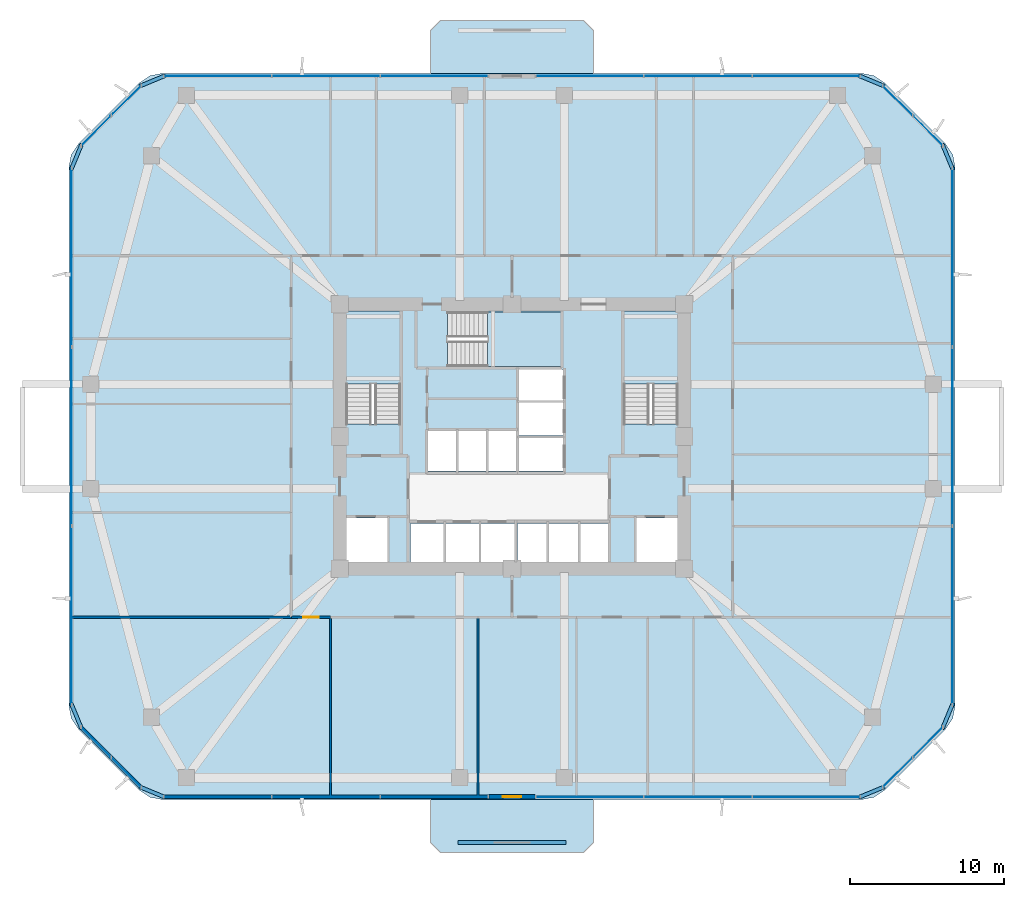
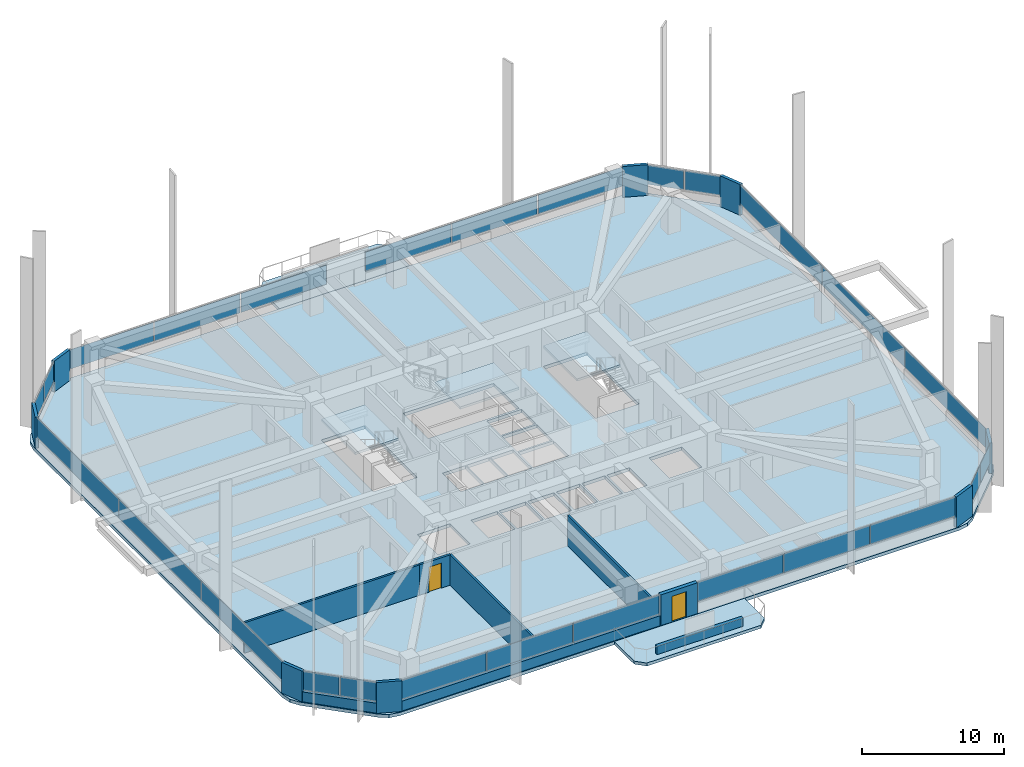
# One storey, part 8 of 17: 34 plates, 8 walls, 6 slabs, 2 doors, 2 openings, 13 elements without a shape of their own.
"""IFC4 building model written with IfcOpenShell, lengths in metres."""

from ifc_helpers import new_model, si_unit, derived_unit, direction, frame, frame_2d, origin, origin_2d, place, context, subcontext, project, spatial, polyline, rectangle, outline, extrude, material, layer, layer_set, type_object, element, fill, aggregate, save


model = new_model("IFC4")

# Units and contexts
model_context = context("Model", 3, precision=1e-05, world=origin(), true_north=direction((0.0, 1.0)))
body_context = subcontext(model_context, "Body", "Model", "MODEL_VIEW")
ifc_project = project(units=[si_unit("LENGTHUNIT", "METRE"), si_unit("AREAUNIT", "SQUARE_METRE"), si_unit("VOLUMEUNIT", "CUBIC_METRE"), si_unit("PLANEANGLEUNIT", "RADIAN"), si_unit("MASSUNIT", "GRAM", prefix="KILO"), derived_unit("THERMALTRANSMITTANCEUNIT", [(si_unit("POWERUNIT", "WATT"), 1), (si_unit("LENGTHUNIT", "METRE"), -2), (si_unit("THERMODYNAMICTEMPERATUREUNIT", "KELVIN"), -1)])], contexts=[model_context])

# Site, building, storey
site_placement = place(None, origin())
site = spatial("IfcSite", under=ifc_project, at=site_placement, CompositionType="ELEMENT")
building_placement = place(site_placement, origin())
building = spatial("IfcBuilding", under=site, at=building_placement, Name="Koralith Skygarden Medical Center", CompositionType="ELEMENT")
storey_placement = place(building_placement, frame((0.0, 0.0, 38.340087890625)))
storey = spatial("IfcBuildingStorey", under=building, at=storey_placement, Name="L09", CompositionType="ELEMENT", Elevation=38.340087890625)

# Curtain wall, plates
ifc_material_1 = material(Name="Clear Laminated Glass", Category="glass")
curtain_wall_type = type_object("IfcCurtainWallType", Name="CW-2 Zone 1 Hurricane Unitised Curtain Wall", PredefinedType="NOTDEFINED", material=ifc_material_1)
curtain_wall_1_placement = place(storey_placement, origin())
curtain_wall_1 = element("IfcCurtainWall", 1, at=curtain_wall_1_placement, inside=storey, type_object=curtain_wall_type, Name="Curtain Wall CW-L09-S-L", PredefinedType="NOTDEFINED")
ifc_layer_1 = layer(ifc_material_1, 0.031982421875)
ifc_layer_set_1 = layer_set([ifc_layer_1], Name="Clear Laminated Glass")
plate_type_1 = type_object("IfcPlateType", Name="CW-2 Hurricane Laminated IGU Panel 32", PredefinedType="CURTAIN_PANEL", material=ifc_layer_set_1)
plate_1_placement = place(storey_placement, frame((17.873046875, 2.47998046875, 0.919921875), z_axis=(0.0, 0.0, 1.0), x_axis=(1.0, 0.0, 0.0)))
plate_1 = element("IfcPlate", 2, at=plate_1_placement, type_object=plate_type_1, Name="CW-L09-S-L Glazed Panel 1", PredefinedType="CURTAIN_PANEL", context=body_context, shape_type="SweptSolid", body=[
    extrude(rectangle(XDim=6.945068359375, YDim=0.031982421875, at=origin_2d()), origin(), (0.0, 0.0, 1.0), 1.659912109375),
])
plate_2_placement = place(storey_placement, frame((24.906982421875, 2.47998046875, 0.919921875), z_axis=(0.0, 0.0, 1.0), x_axis=(1.0, 0.0, 0.0)))
plate_2 = element("IfcPlate", 3, at=plate_2_placement, type_object=plate_type_1, Name="CW-L09-S-L Glazed Panel 2", PredefinedType="CURTAIN_PANEL", context=body_context, shape_type="SweptSolid", body=[
    extrude(rectangle(XDim=6.945068359375, YDim=0.031982421875, at=origin_2d()), origin(), (0.0, 0.0, 1.0), 1.659912109375),
])
plate_3_placement = place(storey_placement, frame((31.94189453125, 2.47998046875, 0.919921875), z_axis=(0.0, 0.0, 1.0), x_axis=(1.0, 0.0, 0.0)))
plate_3 = element("IfcPlate", 4, at=plate_3_placement, type_object=plate_type_1, Name="CW-L09-S-L Glazed Panel 3", PredefinedType="CURTAIN_PANEL", context=body_context, shape_type="SweptSolid", body=[
    extrude(rectangle(XDim=6.945068359375, YDim=0.031982421875, at=origin_2d()), origin(), (0.0, 0.0, 1.0), 1.659912109375),
])
aggregate(curtain_wall_1, [plate_1, plate_2, plate_3])

curtain_wall_2_placement = place(storey_placement, origin())
curtain_wall_2 = element("IfcCurtainWall", 5, at=curtain_wall_2_placement, inside=storey, type_object=curtain_wall_type, Name="Curtain Wall CW-L09-S-R", PredefinedType="NOTDEFINED")
plate_4_placement = place(storey_placement, frame((42.056884765625, 2.47998046875, 0.919921875), z_axis=(0.0, 0.0, 1.0), x_axis=(1.0, 0.0, 0.0)))
plate_4 = element("IfcPlate", 6, at=plate_4_placement, type_object=plate_type_1, Name="CW-L09-S-R Glazed Panel 1", PredefinedType="CURTAIN_PANEL", context=body_context, shape_type="SweptSolid", body=[
    extrude(rectangle(XDim=6.945068359375, YDim=0.031982421875, at=origin_2d()), origin(), (0.0, 0.0, 1.0), 1.659912109375),
])
plate_5_placement = place(storey_placement, frame((49.093017578125, 2.47998046875, 0.919921875), z_axis=(0.0, 0.0, 1.0), x_axis=(1.0, 0.0, 0.0)))
plate_5 = element("IfcPlate", 7, at=plate_5_placement, type_object=plate_type_1, Name="CW-L09-S-R Glazed Panel 2", PredefinedType="CURTAIN_PANEL", context=body_context, shape_type="SweptSolid", body=[
    extrude(rectangle(XDim=6.945068359375, YDim=0.031982421875, at=origin_2d()), origin(), (0.0, 0.0, 1.0), 1.659912109375),
])
plate_6_placement = place(storey_placement, frame((56.126953125, 2.47998046875, 0.919921875), z_axis=(0.0, 0.0, 1.0), x_axis=(1.0, 0.0, 0.0)))
plate_6 = element("IfcPlate", 8, at=plate_6_placement, type_object=plate_type_1, Name="CW-L09-S-R Glazed Panel 3", PredefinedType="CURTAIN_PANEL", context=body_context, shape_type="SweptSolid", body=[
    extrude(rectangle(XDim=6.945068359375, YDim=0.031982421875, at=origin_2d()), origin(), (0.0, 0.0, 1.0), 1.659912109375),
])
aggregate(curtain_wall_2, [plate_4, plate_5, plate_6])

curtain_wall_3_placement = place(storey_placement, origin())
curtain_wall_3 = element("IfcCurtainWall", 9, at=curtain_wall_3_placement, inside=storey, type_object=curtain_wall_type, Name="Curtain Wall CW-L09-SE", PredefinedType="NOTDEFINED")
plate_7_placement = place(storey_placement, frame((62.076904296875, 4.06201171875, 0.919921875), z_axis=(0.0, 0.0, 1.0), x_axis=(0.707106781187, 0.707106781187, 0.0)))
plate_7 = element("IfcPlate", 10, at=plate_7_placement, type_object=plate_type_1, Name="CW-L09-SE Glazed Panel 1", PredefinedType="CURTAIN_PANEL", context=body_context, shape_type="SweptSolid", body=[
    extrude(rectangle(XDim=2.68408203125, YDim=0.031982421875, at=origin_2d()), origin(), (0.0, 0.0, 1.0), 1.659912109375),
])
plate_8_placement = place(storey_placement, frame((64.0380859375, 6.02294921875, 0.919921875), z_axis=(0.0, 0.0, 1.0), x_axis=(0.707106781187, 0.707106781187, 0.0)))
plate_8 = element("IfcPlate", 11, at=plate_8_placement, type_object=plate_type_1, Name="CW-L09-SE Glazed Panel 2", PredefinedType="CURTAIN_PANEL", context=body_context, shape_type="SweptSolid", body=[
    extrude(rectangle(XDim=2.68408203125, YDim=0.031982421875, at=origin_2d()), origin(), (0.0, 0.0, 1.0), 1.659912109375),
])
aggregate(curtain_wall_3, [plate_7, plate_8])

curtain_wall_4_placement = place(storey_placement, origin())
curtain_wall_4 = element("IfcCurtainWall", 12, at=curtain_wall_4_placement, inside=storey, type_object=curtain_wall_type, Name="Curtain Wall CW-L09-E", PredefinedType="NOTDEFINED")
plate_9_placement = place(storey_placement, frame((65.6201171875, 14.27001953125, 0.919921875), z_axis=(0.0, 0.0, 1.0), x_axis=(0.0, 1.0, 0.0)))
plate_9 = element("IfcPlate", 13, at=plate_9_placement, type_object=plate_type_1, Name="CW-L09-E Glazed Panel 1", PredefinedType="CURTAIN_PANEL", context=body_context, shape_type="SweptSolid", body=[
    extrude(rectangle(XDim=11.5400390625, YDim=0.031982421875, at=origin_2d()), origin(), (0.0, 0.0, 1.0), 1.659912109375),
])
plate_10_placement = place(storey_placement, frame((65.6201171875, 25.89990234375, 0.919921875), z_axis=(0.0, 0.0, 1.0), x_axis=(0.0, 1.0, 0.0)))
plate_10 = element("IfcPlate", 14, at=plate_10_placement, type_object=plate_type_1, Name="CW-L09-E Glazed Panel 2", PredefinedType="CURTAIN_PANEL", context=body_context, shape_type="SweptSolid", body=[
    extrude(rectangle(XDim=11.5400390625, YDim=0.031982421875, at=origin_2d()), origin(), (0.0, 0.0, 1.0), 1.659912109375),
])
plate_11_placement = place(storey_placement, frame((65.6201171875, 37.530029296875, 0.919921875), z_axis=(0.0, 0.0, 1.0), x_axis=(0.0, 1.0, 0.0)))
plate_11 = element("IfcPlate", 15, at=plate_11_placement, type_object=plate_type_1, Name="CW-L09-E Glazed Panel 3", PredefinedType="CURTAIN_PANEL", context=body_context, shape_type="SweptSolid", body=[
    extrude(rectangle(XDim=11.5400390625, YDim=0.031982421875, at=origin_2d()), origin(), (0.0, 0.0, 1.0), 1.659912109375),
])
aggregate(curtain_wall_4, [plate_9, plate_10, plate_11])

curtain_wall_5_placement = place(storey_placement, origin())
curtain_wall_5 = element("IfcCurtainWall", 16, at=curtain_wall_5_placement, inside=storey, type_object=curtain_wall_type, Name="Curtain Wall CW-L09-NE", PredefinedType="NOTDEFINED")
plate_12_placement = place(storey_placement, frame((64.0380859375, 45.777099609375, 0.919921875), z_axis=(0.0, 0.0, 1.0), x_axis=(-0.707106781187, 0.707106781187, 0.0)))
plate_12 = element("IfcPlate", 17, at=plate_12_placement, type_object=plate_type_1, Name="CW-L09-NE Glazed Panel 1", PredefinedType="CURTAIN_PANEL", context=body_context, shape_type="SweptSolid", body=[
    extrude(rectangle(XDim=2.68408203125, YDim=0.031982421875, at=origin_2d()), origin(), (0.0, 0.0, 1.0), 1.659912109375),
])
plate_13_placement = place(storey_placement, frame((62.076904296875, 47.738037109375, 0.919921875), z_axis=(0.0, 0.0, 1.0), x_axis=(-0.707106781187, 0.707106781187, 0.0)))
plate_13 = element("IfcPlate", 18, at=plate_13_placement, type_object=plate_type_1, Name="CW-L09-NE Glazed Panel 2", PredefinedType="CURTAIN_PANEL", context=body_context, shape_type="SweptSolid", body=[
    extrude(rectangle(XDim=2.68408203125, YDim=0.031982421875, at=origin_2d()), origin(), (0.0, 0.0, 1.0), 1.659912109375),
])
aggregate(curtain_wall_5, [plate_12, plate_13])

curtain_wall_6_placement = place(storey_placement, origin())
curtain_wall_6 = element("IfcCurtainWall", 19, at=curtain_wall_6_placement, inside=storey, type_object=curtain_wall_type, Name="Curtain Wall CW-L09-N-L", PredefinedType="NOTDEFINED")
plate_14_placement = place(storey_placement, frame((56.1279296875, 49.320068359375, 0.919921875), z_axis=(0.0, 0.0, 1.0), x_axis=(-1.0, 0.0, 0.0)))
plate_14 = element("IfcPlate", 20, at=plate_14_placement, type_object=plate_type_1, Name="CW-L09-N-L Glazed Panel 1", PredefinedType="CURTAIN_PANEL", context=body_context, shape_type="SweptSolid", body=[
    extrude(rectangle(XDim=6.945068359375, YDim=0.031982421875, at=origin_2d()), origin(), (0.0, 0.0, 1.0), 1.659912109375),
])
plate_15_placement = place(storey_placement, frame((49.093017578125, 49.320068359375, 0.919921875), z_axis=(0.0, 0.0, 1.0), x_axis=(-1.0, 0.0, 0.0)))
plate_15 = element("IfcPlate", 21, at=plate_15_placement, type_object=plate_type_1, Name="CW-L09-N-L Glazed Panel 2", PredefinedType="CURTAIN_PANEL", context=body_context, shape_type="SweptSolid", body=[
    extrude(rectangle(XDim=6.945068359375, YDim=0.031982421875, at=origin_2d()), origin(), (0.0, 0.0, 1.0), 1.659912109375),
])
plate_16_placement = place(storey_placement, frame((42.05810546875, 49.320068359375, 0.919921875), z_axis=(0.0, 0.0, 1.0), x_axis=(-1.0, 0.0, 0.0)))
plate_16 = element("IfcPlate", 22, at=plate_16_placement, type_object=plate_type_1, Name="CW-L09-N-L Glazed Panel 3", PredefinedType="CURTAIN_PANEL", context=body_context, shape_type="SweptSolid", body=[
    extrude(rectangle(XDim=6.945068359375, YDim=0.031982421875, at=origin_2d()), origin(), (0.0, 0.0, 1.0), 1.659912109375),
])
aggregate(curtain_wall_6, [plate_14, plate_15, plate_16])

curtain_wall_7_placement = place(storey_placement, origin())
curtain_wall_7 = element("IfcCurtainWall", 23, at=curtain_wall_7_placement, inside=storey, type_object=curtain_wall_type, Name="Curtain Wall CW-L09-N-R", PredefinedType="NOTDEFINED")
plate_17_placement = place(storey_placement, frame((31.943115234375, 49.320068359375, 0.919921875), z_axis=(0.0, 0.0, 1.0), x_axis=(-1.0, 0.0, 0.0)))
plate_17 = element("IfcPlate", 24, at=plate_17_placement, type_object=plate_type_1, Name="CW-L09-N-R Glazed Panel 1", PredefinedType="CURTAIN_PANEL", context=body_context, shape_type="SweptSolid", body=[
    extrude(rectangle(XDim=6.945068359375, YDim=0.031982421875, at=origin_2d()), origin(), (0.0, 0.0, 1.0), 1.659912109375),
])
plate_18_placement = place(storey_placement, frame((24.906982421875, 49.320068359375, 0.919921875), z_axis=(0.0, 0.0, 1.0), x_axis=(-1.0, 0.0, 0.0)))
plate_18 = element("IfcPlate", 25, at=plate_18_placement, type_object=plate_type_1, Name="CW-L09-N-R Glazed Panel 2", PredefinedType="CURTAIN_PANEL", context=body_context, shape_type="SweptSolid", body=[
    extrude(rectangle(XDim=6.945068359375, YDim=0.031982421875, at=origin_2d()), origin(), (0.0, 0.0, 1.0), 1.659912109375),
])
plate_19_placement = place(storey_placement, frame((17.873046875, 49.320068359375, 0.919921875), z_axis=(0.0, 0.0, 1.0), x_axis=(-1.0, 0.0, 0.0)))
plate_19 = element("IfcPlate", 26, at=plate_19_placement, type_object=plate_type_1, Name="CW-L09-N-R Glazed Panel 3", PredefinedType="CURTAIN_PANEL", context=body_context, shape_type="SweptSolid", body=[
    extrude(rectangle(XDim=6.945068359375, YDim=0.031982421875, at=origin_2d()), origin(), (0.0, 0.0, 1.0), 1.659912109375),
])
aggregate(curtain_wall_7, [plate_17, plate_18, plate_19])

curtain_wall_8_placement = place(storey_placement, origin())
curtain_wall_8 = element("IfcCurtainWall", 27, at=curtain_wall_8_placement, inside=storey, type_object=curtain_wall_type, Name="Curtain Wall CW-L09-NW", PredefinedType="NOTDEFINED")
plate_20_placement = place(storey_placement, frame((11.923095703125, 47.738037109375, 0.919921875), z_axis=(0.0, 0.0, 1.0), x_axis=(-0.707106781187, -0.707106781187, 0.0)))
plate_20 = element("IfcPlate", 28, at=plate_20_placement, type_object=plate_type_1, Name="CW-L09-NW Glazed Panel 1", PredefinedType="CURTAIN_PANEL", context=body_context, shape_type="SweptSolid", body=[
    extrude(rectangle(XDim=2.68408203125, YDim=0.031982421875, at=origin_2d()), origin(), (0.0, 0.0, 1.0), 1.659912109375),
])
plate_21_placement = place(storey_placement, frame((9.9619140625, 45.777099609375, 0.919921875), z_axis=(0.0, 0.0, 1.0), x_axis=(-0.707106781187, -0.707106781187, 0.0)))
plate_21 = element("IfcPlate", 29, at=plate_21_placement, type_object=plate_type_1, Name="CW-L09-NW Glazed Panel 2", PredefinedType="CURTAIN_PANEL", context=body_context, shape_type="SweptSolid", body=[
    extrude(rectangle(XDim=2.68408203125, YDim=0.031982421875, at=origin_2d()), origin(), (0.0, 0.0, 1.0), 1.659912109375),
])
aggregate(curtain_wall_8, [plate_20, plate_21])

curtain_wall_9_placement = place(storey_placement, origin())
curtain_wall_9 = element("IfcCurtainWall", 30, at=curtain_wall_9_placement, inside=storey, type_object=curtain_wall_type, Name="Curtain Wall CW-L09-W", PredefinedType="NOTDEFINED")
plate_22_placement = place(storey_placement, frame((8.3798828125, 37.530029296875, 0.919921875), z_axis=(0.0, 0.0, 1.0), x_axis=(0.0, -1.0, 0.0)))
plate_22 = element("IfcPlate", 31, at=plate_22_placement, type_object=plate_type_1, Name="CW-L09-W Glazed Panel 1", PredefinedType="CURTAIN_PANEL", context=body_context, shape_type="SweptSolid", body=[
    extrude(rectangle(XDim=11.5400390625, YDim=0.031982421875, at=origin_2d()), origin(), (0.0, 0.0, 1.0), 1.659912109375),
])
plate_23_placement = place(storey_placement, frame((8.3798828125, 25.89990234375, 0.919921875), z_axis=(0.0, 0.0, 1.0), x_axis=(0.0, -1.0, 0.0)))
plate_23 = element("IfcPlate", 32, at=plate_23_placement, type_object=plate_type_1, Name="CW-L09-W Glazed Panel 2", PredefinedType="CURTAIN_PANEL", context=body_context, shape_type="SweptSolid", body=[
    extrude(rectangle(XDim=11.5400390625, YDim=0.031982421875, at=origin_2d()), origin(), (0.0, 0.0, 1.0), 1.659912109375),
])
plate_24_placement = place(storey_placement, frame((8.3798828125, 14.27001953125, 0.919921875), z_axis=(0.0, 0.0, 1.0), x_axis=(0.0, -1.0, 0.0)))
plate_24 = element("IfcPlate", 33, at=plate_24_placement, type_object=plate_type_1, Name="CW-L09-W Glazed Panel 3", PredefinedType="CURTAIN_PANEL", context=body_context, shape_type="SweptSolid", body=[
    extrude(rectangle(XDim=11.5400390625, YDim=0.031982421875, at=origin_2d()), origin(), (0.0, 0.0, 1.0), 1.659912109375),
])
aggregate(curtain_wall_9, [plate_22, plate_23, plate_24])

curtain_wall_10_placement = place(storey_placement, origin())
curtain_wall_10 = element("IfcCurtainWall", 34, at=curtain_wall_10_placement, inside=storey, type_object=curtain_wall_type, Name="Curtain Wall CW-L09-SW", PredefinedType="NOTDEFINED")
plate_25_placement = place(storey_placement, frame((9.9619140625, 6.02294921875, 0.919921875), z_axis=(0.0, 0.0, 1.0), x_axis=(0.707106781187, -0.707106781187, 0.0)))
plate_25 = element("IfcPlate", 35, at=plate_25_placement, type_object=plate_type_1, Name="CW-L09-SW Glazed Panel 1", PredefinedType="CURTAIN_PANEL", context=body_context, shape_type="SweptSolid", body=[
    extrude(rectangle(XDim=2.68408203125, YDim=0.031982421875, at=origin_2d()), origin(), (0.0, 0.0, 1.0), 1.659912109375),
])
plate_26_placement = place(storey_placement, frame((11.923095703125, 4.06201171875, 0.919921875), z_axis=(0.0, 0.0, 1.0), x_axis=(0.707106781187, -0.707106781187, 0.0)))
plate_26 = element("IfcPlate", 36, at=plate_26_placement, type_object=plate_type_1, Name="CW-L09-SW Glazed Panel 2", PredefinedType="CURTAIN_PANEL", context=body_context, shape_type="SweptSolid", body=[
    extrude(rectangle(XDim=2.68408203125, YDim=0.031982421875, at=origin_2d()), origin(), (0.0, 0.0, 1.0), 1.659912109375),
])
aggregate(curtain_wall_10, [plate_25, plate_26])

# Slabs
ifc_material_2 = material(Name="Concrete C45/55", Category="concrete")
ifc_layer_2 = layer(ifc_material_2, 0.260009765625)
ifc_layer_set_2 = layer_set([ifc_layer_2], Name="Concrete C45/55")
slab_type_1 = type_object("IfcSlabType", Name="Cantilevered Planted Balcony Slab 260", PredefinedType="FLOOR", material=ifc_layer_set_2)
slab_1_placement = place(storey_placement, frame((0.0, 0.0, -0.260009765625)))
element("IfcSlab", 37, at=slab_1_placement, inside=storey, type_object=slab_type_1, Name="L09 N Planted Sky-Garden Balcony Slab", PredefinedType="FLOOR", context=body_context, shape_type="SweptSolid", body=[
    extrude(outline(polyline([(31.699951171875, 49.5), (42.300048828125, 49.5), (42.300048828125, 52.300048828125), (41.64990234375, 52.949951171875), (32.35009765625, 52.949951171875), (31.699951171875, 52.300048828125), (31.699951171875, 49.5)])), origin(), (0.0, 0.0, 1.0), 0.260009765625),
])
slab_2_placement = place(storey_placement, frame((0.0, 0.0, -0.260009765625)))
element("IfcSlab", 38, at=slab_2_placement, inside=storey, type_object=slab_type_1, Name="L09 S Planted Sky-Garden Balcony Slab", PredefinedType="FLOOR", context=body_context, shape_type="SweptSolid", body=[
    extrude(outline(polyline([(32.35009765625, -1.14990234375), (41.64990234375, -1.14990234375), (42.300048828125, -0.5), (42.300048828125, 2.300048828125), (31.699951171875, 2.300048828125), (31.699951171875, -0.5), (32.35009765625, -1.14990234375)])), origin(), (0.0, 0.0, 1.0), 0.260009765625),
])

# Stair, slab
stair_type = type_object("IfcStairType", Name="Core Exit Dogleg Concrete Stair", PredefinedType="HALF_TURN_STAIR", material=ifc_material_2)
stair_1_placement = place(storey_placement, origin())
stair_1 = element("IfcStair", 39, at=stair_1_placement, inside=storey, type_object=stair_type, Name="L09 Smokeproof Exit Stair ST1", PredefinedType="HALF_TURN_STAIR")
ifc_layer_3 = layer(ifc_material_2, 0.199951171875)
ifc_layer_set_3 = layer_set([ifc_layer_3], Name="Concrete C45/55")
slab_type_2 = type_object("IfcSlabType", Name="Core Exit Concrete Stair Landing 200", PredefinedType="LANDING", material=ifc_layer_set_3)
slab_3_placement = place(storey_placement, frame((0.0, 0.0, 1.599853515625)))
slab_3 = element("IfcSlab", 40, at=slab_3_placement, type_object=slab_type_2, Name="ST1 landing 1", PredefinedType="LANDING", context=body_context, shape_type="SweptSolid", body=[
    extrude(outline(polyline([(29.75, 29.31005859375), (29.75, 34.050048828125), (26.199951171875, 34.050048828125), (26.199951171875, 29.31005859375), (29.75, 29.31005859375)])), origin(), (0.0, 0.0, 1.0), 0.199951171875),
])
aggregate(stair_1, [slab_3])

stair_2_placement = place(storey_placement, origin())
stair_2 = element("IfcStair", 41, at=stair_2_placement, inside=storey, type_object=stair_type, Name="L09 Smokeproof Exit Stair ST2", PredefinedType="HALF_TURN_STAIR")
slab_4_placement = place(storey_placement, frame((0.0, 0.0, 1.599853515625)))
slab_4 = element("IfcSlab", 42, at=slab_4_placement, type_object=slab_type_2, Name="ST2 landing 1", PredefinedType="LANDING", context=body_context, shape_type="SweptSolid", body=[
    extrude(outline(polyline([(47.800048828125, 29.31005859375), (47.800048828125, 34.050048828125), (44.25, 34.050048828125), (44.25, 29.31005859375), (47.800048828125, 29.31005859375)])), origin(), (0.0, 0.0, 1.0), 0.199951171875),
])
aggregate(stair_2, [slab_4])

stair_3_placement = place(storey_placement, origin())
stair_3 = element("IfcStair", 43, at=stair_3_placement, inside=storey, type_object=stair_type, Name="L09 Smokeproof Exit Stair ST3", PredefinedType="HALF_TURN_STAIR")
slab_5_placement = place(storey_placement, frame((0.0, 0.0, 1.599853515625)))
slab_5 = element("IfcSlab", 44, at=slab_5_placement, type_object=slab_type_2, Name="ST3 landing 1", PredefinedType="LANDING", context=body_context, shape_type="SweptSolid", body=[
    extrude(outline(polyline([(35.409912109375, 30.449951171875), (40.199951171875, 30.449951171875), (40.199951171875, 34.0), (35.409912109375, 34.0), (35.409912109375, 30.449951171875)])), origin(), (0.0, 0.0, 1.0), 0.199951171875),
])
aggregate(stair_3, [slab_5])

# Slab
ifc_layer_4 = layer(ifc_material_2, 0.280029296875)
ifc_layer_set_4 = layer_set([ifc_layer_4], Name="Concrete C45/55")
slab_type_3 = type_object("IfcSlabType", Name="Post-Tensioned Ward Floor Plate 280", PredefinedType="FLOOR", material=ifc_layer_set_4)
slab_6_placement = place(storey_placement, frame((0.0, 0.0, -0.280029296875)))
element("IfcSlab", 45, at=slab_6_placement, inside=storey, type_object=slab_type_3, Name="Level L09 Structural Floor Slab", PredefinedType="FLOOR", context=body_context, shape_type="SweptSolid", body=[
    extrude(outline(polyline([(12.81396484375, 2.885986328125), (13.462890625, 2.451904296875), (14.22802734375, 2.300048828125), (59.77197265625, 2.300048828125), (60.537109375, 2.451904296875), (61.18603515625, 2.885986328125), (65.214111328125, 6.9140625), (65.64794921875, 7.56298828125), (65.800048828125, 8.327880859375), (65.800048828125, 43.471923828125), (65.64794921875, 44.237060546875), (65.214111328125, 44.885986328125), (61.18603515625, 48.9140625), (60.537109375, 49.347900390625), (59.77197265625, 49.5), (14.22802734375, 49.5), (13.462890625, 49.347900390625), (12.81396484375, 48.9140625), (8.785888671875, 44.885986328125), (8.35205078125, 44.237060546875), (8.199951171875, 43.471923828125), (8.199951171875, 8.327880859375), (8.35205078125, 7.56298828125), (8.785888671875, 6.9140625), (12.81396484375, 2.885986328125)]), holes=[polyline([(26.199951171875, 26.705078125), (29.75, 26.705078125), (29.75, 34.050048828125), (26.199951171875, 34.050048828125), (26.199951171875, 26.705078125)]), polyline([(44.25, 26.705078125), (47.800048828125, 26.705078125), (47.800048828125, 34.050048828125), (44.25, 34.050048828125), (44.25, 26.705078125)]), polyline([(32.804931640625, 30.449951171875), (40.199951171875, 30.449951171875), (40.199951171875, 34.0), (32.804931640625, 34.0), (32.804931640625, 30.449951171875)]), polyline([(26.25, 17.75), (28.89990234375, 17.75), (28.89990234375, 20.60009765625), (26.25, 20.60009765625), (26.25, 17.75)]), polyline([(45.10009765625, 17.75), (47.75, 17.75), (47.75, 20.60009765625), (45.10009765625, 20.60009765625), (45.10009765625, 17.75)]), polyline([(30.39990234375, 17.75), (32.550048828125, 17.75), (32.550048828125, 20.25), (30.39990234375, 20.25), (30.39990234375, 17.75)]), polyline([(32.699951171875, 17.75), (34.85009765625, 17.75), (34.85009765625, 20.25), (32.699951171875, 20.25), (32.699951171875, 17.75)]), polyline([(35.0, 17.75), (37.14990234375, 17.75), (37.14990234375, 20.25), (35.0, 20.25), (35.0, 17.75)]), polyline([(37.35009765625, 17.75), (39.25, 17.75), (39.25, 20.25), (37.35009765625, 20.25), (37.35009765625, 17.75)]), polyline([(39.39990234375, 17.75), (41.300048828125, 17.75), (41.300048828125, 20.25), (39.39990234375, 20.25), (39.39990234375, 17.75)]), polyline([(41.449951171875, 17.75), (43.300048828125, 17.75), (43.300048828125, 20.25), (41.449951171875, 20.25), (41.449951171875, 17.75)]), polyline([(31.550048828125, 23.64990234375), (33.39990234375, 23.64990234375), (33.39990234375, 26.25), (31.550048828125, 26.25), (31.550048828125, 23.64990234375)]), polyline([(33.5, 23.64990234375), (35.35009765625, 23.64990234375), (35.35009765625, 26.25), (33.5, 26.25), (33.5, 23.64990234375)]), polyline([(35.449951171875, 23.64990234375), (37.300048828125, 23.64990234375), (37.300048828125, 26.25), (35.449951171875, 26.25), (35.449951171875, 23.64990234375)]), polyline([(37.449951171875, 23.64990234375), (40.300048828125, 23.64990234375), (40.300048828125, 25.800048828125), (37.449951171875, 25.800048828125), (37.449951171875, 23.64990234375)]), polyline([(37.449951171875, 25.949951171875), (40.300048828125, 25.949951171875), (40.300048828125, 28.10009765625), (37.449951171875, 28.10009765625), (37.449951171875, 25.949951171875)]), polyline([(37.449951171875, 28.25), (40.300048828125, 28.25), (40.300048828125, 30.25), (37.449951171875, 30.25), (37.449951171875, 28.25)])]), origin(), (0.0, 0.0, 1.0), 0.280029296875),
])

# Plates
ifc_material_3 = material(Name="Warm Oolitic Limestone Cladding", Category="masonry")
ifc_layer_5 = layer(ifc_material_3, 0.239990234375)
ifc_layer_set_5 = layer_set([ifc_layer_5], Name="Warm Oolitic Limestone Cladding")
plate_type_2 = type_object("IfcPlateType", Name="Rounded-Corner Oolitic Limestone Cladding Panel 240", PredefinedType="USERDEFINED", material=ifc_layer_set_5)
for number, where, z_axis, x_axis, name in (
    (46, (60.3701171875, 2.780029296875, 0.0), (0.0, 0.0, 1.0), (0.92388487569, 0.382670532536, 0.0), "L09 Rounded-Corner Limestone Pier 1"),
    (47, (65.320068359375, 7.72900390625, 0.0), (0.0, 0.0, 1.0), (0.382670532536, 0.92388487569, 0.0), "L09 Rounded-Corner Limestone Pier 2"),
    (48, (65.320068359375, 44.070068359375, 0.0), (0.0, 0.0, 1.0), (-0.382670532536, 0.92388487569, 0.0), "L09 Rounded-Corner Limestone Pier 3"),
    (49, (60.3701171875, 49.02001953125, 0.0), (0.0, 0.0, 1.0), (-0.92388487569, 0.382670532536, 0.0), "L09 Rounded-Corner Limestone Pier 4"),
    (50, (13.6298828125, 49.02001953125, 0.0), (0.0, 0.0, 1.0), (-0.92388487569, -0.382670532536, 0.0), "L09 Rounded-Corner Limestone Pier 5"),
    (51, (8.680908203125, 44.070068359375, 0.0), (0.0, 0.0, 1.0), (-0.382670532536, -0.92388487569, 0.0), "L09 Rounded-Corner Limestone Pier 6"),
    (52, (8.680908203125, 7.72900390625, 0.0), (0.0, 0.0, 1.0), (0.382670532536, -0.92388487569, 0.0), "L09 Rounded-Corner Limestone Pier 7"),
    (53, (13.6298828125, 2.780029296875, 0.0), (0.0, 0.0, 1.0), (0.92388487569, -0.382670532536, 0.0), "L09 Rounded-Corner Limestone Pier 8"),
):
    element("IfcPlate", number, at=place(storey_placement, frame(where, z_axis=z_axis, x_axis=x_axis)), inside=storey, type_object=plate_type_2, Name=name, ObjectType="LIMESTONE CLADDING", PredefinedType="USERDEFINED", context=body_context, shape_type="SweptSolid", body=[
        extrude(rectangle(XDim=1.81103515625, YDim=0.239990234375, at=origin_2d()), origin(), (0.0, 0.0, 1.0), 2.64990234375),
    ])

# Walls
ifc_material_4 = material(Name="Gypsum Board Partition")
ifc_layer_6 = layer(ifc_material_4, 0.14990234375)
ifc_layer_set_6 = layer_set([ifc_layer_6], Name="Gypsum Board Partition")
wall_type_1 = type_object("IfcWallType", Name="Clinical Acoustic Partition 150", PredefinedType="PARTITIONING", material=ifc_layer_set_6)
for number, where, z_axis, x_axis, name in (
    (54, (25.199951171875, 14.14990234375, 0.0), (0.0, 0.0, 1.0), (0.0, -1.0, 0.0), "L09 Clinical Acoustic Partition 150 W-PART-L09-S-01"),
    (55, (34.7939453125, 14.14990234375, 0.0), (0.0, 0.0, 1.0), (0.0, -1.0, 0.0), "L09 Clinical Acoustic Partition 150 W-PART-L09-S-02"),
):
    element("IfcWall", number, at=place(storey_placement, frame(where, z_axis=z_axis, x_axis=x_axis)), inside=storey, type_object=wall_type_1, Name=name, PredefinedType="PARTITIONING", context=body_context, shape_type="SweptSolid", body=[
        extrude(rectangle(XDim=11.64990234375, YDim=0.14990234375, at=frame_2d((5.824951171875, 0.0))), origin(), (0.0, 0.0, 1.0), 2.60986328125),
    ])
ifc_layer_7 = layer(ifc_material_4, 0.1650390625)
ifc_layer_set_7 = layer_set([ifc_layer_7], Name="Gypsum Board Partition")
wall_type_2 = type_object("IfcWallType", Name="Clinical Corridor Partition 165", PredefinedType="PARTITIONING", material=ifc_layer_set_7)
wall_1_placement = place(storey_placement, frame((8.39990234375, 14.14990234375, 0.0), z_axis=(0.0, 0.0, 1.0), x_axis=(1.0, 0.0, 0.0)))
element("IfcWall", 56, at=wall_1_placement, inside=storey, type_object=wall_type_2, Name="L09 Clinical Corridor Partition 165 W-WB-L09-SW", PredefinedType="PARTITIONING", context=body_context, shape_type="SweptSolid", body=[
    extrude(rectangle(XDim=14.25, YDim=0.1650390625, at=frame_2d((7.125, 0.0))), origin(), (0.0, 0.0, 1.0), 2.60986328125),
])

# Wall, opening, door
wall_2_placement = place(storey_placement, frame((22.64990234375, 14.14990234375, 0.0), z_axis=(0.0, 0.0, 1.0), x_axis=(1.0, 0.0, 0.0)))
wall_2 = element("IfcWall", 57, at=wall_2_placement, inside=storey, type_object=wall_type_2, Name="L09 Clinical Corridor Partition 165 W-CORR-L09-S-01", PredefinedType="PARTITIONING", context=body_context, shape_type="SweptSolid", body=[
    extrude(rectangle(XDim=2.550048828125, YDim=0.1650390625, at=frame_2d((1.27490234375, 0.0))), origin(), (0.0, 0.0, 1.0), 2.60986328125),
])
opening_1_placement = place(wall_2_placement, frame((0.77490234375, 0.0, 0.0)))
opening_1 = element("IfcOpeningElement", 58, at=opening_1_placement, cuts=wall_2, Name="Opening D-SUP", PredefinedType="OPENING", context=body_context, shape_type="SweptSolid", body=[
    extrude(rectangle(XDim=1.0, YDim=2.14990234375, at=frame_2d((0.5, 1.074951171875))), frame((0.0, 0.092529296875, 0.0), z_axis=(0.0, -1.0, 0.0), x_axis=(1.0, 0.0, 0.0)), (0.0, 0.0, 1.0), 0.18505859375),
])
ifc_material_5 = material(Name="Aluminium 6063-T6", Category="aluminium")
door_type_1 = type_object("IfcDoorType", Name="Clinical Support Door D-SUP 1000", OperationType="NOTDEFINED", PredefinedType="DOOR", material=ifc_material_5)
door_1_placement = place(opening_1_placement, frame((1.0, 0.0, 0.0), z_axis=(0.0, 0.0, 1.0), x_axis=(-1.0, 0.0, 0.0)))
door_1 = element("IfcDoor", 59, at=door_1_placement, inside=storey, type_object=door_type_1, Name="L09 Multidisciplinary Clinical Conference Room 07 Door", OperationType="SINGLE_SWING_RIGHT", OverallHeight=2.14990234375, OverallWidth=1.0, PredefinedType="DOOR", context=body_context, shape_type="SweptSolid", body=[
    extrude(rectangle(XDim=1.0, YDim=2.14990234375, at=frame_2d((0.5, 1.074951171875))), frame((0.0, 0.02490234375, 0.0), z_axis=(0.0, -1.0, 0.0), x_axis=(1.0, 0.0, 0.0)), (0.0, 0.0, 1.0), 0.050048828125),
])
fill(opening_1, door_1)

# Walls
ifc_layer_8 = layer(ifc_material_3, 0.239990234375)
ifc_layer_set_8 = layer_set([ifc_layer_8], Name="Warm Oolitic Limestone Cladding")
wall_type_3 = type_object("IfcWallType", Name="Limestone Spandrel Sill Backup Wall 240", PredefinedType="SOLIDWALL", material=ifc_layer_set_8)
wall_3_placement = place(storey_placement, frame((14.35498046875, 2.47998046875, 0.0), z_axis=(0.0, 0.0, 1.0), x_axis=(1.0, 0.0, 0.0)))
element("IfcWall", 60, at=wall_3_placement, inside=storey, type_object=wall_type_3, Name="L09 Sill Spandrel S-L", PredefinedType="SOLIDWALL", context=body_context, shape_type="SweptSolid", body=[
    extrude(rectangle(XDim=21.10498046875, YDim=0.239990234375, at=frame_2d((10.552490234375, 0.0))), origin(), (0.0, 0.0, 1.0), 0.849853515625),
])
wall_4_placement = place(storey_placement, frame((8.98095703125, 7.00390625, 0.0), z_axis=(0.0, 0.0, 1.0), x_axis=(0.707128783731, -0.707084777957, 0.0)))
element("IfcWall", 61, at=wall_4_placement, inside=storey, type_object=wall_type_3, Name="L09 Sill Spandrel SW", PredefinedType="SOLIDWALL", context=body_context, shape_type="SweptSolid", body=[
    extrude(rectangle(XDim=5.5478515625, YDim=0.239990234375, at=frame_2d((2.77392578125, 0.0))), origin(), (0.0, 0.0, 1.0), 0.849853515625),
])

# Wall, opening, door
ifc_layer_9 = layer(ifc_material_3, 0.300048828125)
ifc_layer_set_9 = layer_set([ifc_layer_9], Name="Warm Oolitic Limestone Cladding")
wall_type_4 = type_object("IfcWallType", Name="Oolitic Limestone Insulated Facade Wall 300", PredefinedType="SOLIDWALL", material=ifc_layer_set_9)
wall_5_placement = place(storey_placement, frame((35.5, 2.47998046875, 0.0), z_axis=(0.0, 0.0, 1.0), x_axis=(1.0, 0.0, 0.0)))
wall_5 = element("IfcWall", 62, at=wall_5_placement, inside=storey, type_object=wall_type_4, Name="L09 Terrace Portal Wall S", PredefinedType="SOLIDWALL", context=body_context, shape_type="SweptSolid", body=[
    extrude(rectangle(XDim=3.0, YDim=0.300048828125, at=frame_2d((1.5, 0.0))), origin(), (0.0, 0.0, 1.0), 2.64990234375),
])
opening_2_placement = place(wall_5_placement, frame((0.89990234375, 0.0, 0.0)))
opening_2 = element("IfcOpeningElement", 63, at=opening_2_placement, cuts=wall_5, Name="Opening D-BAL", PredefinedType="OPENING", context=body_context, shape_type="SweptSolid", body=[
    extrude(rectangle(XDim=1.199951171875, YDim=2.199951171875, at=frame_2d((0.60009765625, 1.10009765625))), frame((0.0, 0.159912109375, 0.0), z_axis=(0.0, -1.0, 0.0), x_axis=(1.0, 0.0, 0.0)), (0.0, 0.0, 1.0), 0.320068359375),
])
door_type_2 = type_object("IfcDoorType", Name="Planted Balcony Glazed Terrace Door D-BAL 1200", OperationType="NOTDEFINED", PredefinedType="DOOR", material=ifc_material_5)
door_2_placement = place(opening_2_placement, origin())
door_2 = element("IfcDoor", 64, at=door_2_placement, inside=storey, type_object=door_type_2, Name="L09 S Outdoor Terrace Access Door", OperationType="SINGLE_SWING_RIGHT", OverallHeight=2.199951171875, OverallWidth=1.199951171875, PredefinedType="DOOR", context=body_context, shape_type="SweptSolid", body=[
    extrude(rectangle(XDim=1.199951171875, YDim=2.199951171875, at=frame_2d((0.60009765625, 1.10009765625))), frame((0.0, 0.02490234375, 0.0), z_axis=(0.0, -1.0, 0.0), x_axis=(1.0, 0.0, 0.0)), (0.0, 0.0, 1.0), 0.050048828125),
])
fill(opening_2, door_2)

# Wall
ifc_material_6 = material(Name="Precast concrete C40/50", Category="concrete")
ifc_layer_10 = layer(ifc_material_6, 0.25)
ifc_layer_set_10 = layer_set([ifc_layer_10], Name="Precast concrete C40/50")
wall_type_5 = type_object("IfcWallType", Name="Structural Concrete Balcony Planter Kerb 250", PredefinedType="PARAPET", material=ifc_layer_set_10)
wall_6_placement = place(storey_placement, frame((33.5, -0.5, 0.0), z_axis=(0.0, 0.0, 1.0), x_axis=(1.0, 0.0, 0.0)))
element("IfcWall", 65, at=wall_6_placement, inside=storey, type_object=wall_type_5, Name="L09 S Structural Tree PLANTER Box", PredefinedType="PARAPET", context=body_context, shape_type="SweptSolid", body=[
    extrude(rectangle(XDim=7.0, YDim=0.25, at=frame_2d((3.5, 0.0))), origin(), (0.0, 0.0, 1.0), 0.719970703125),
])

save(model, "model.ifc")
